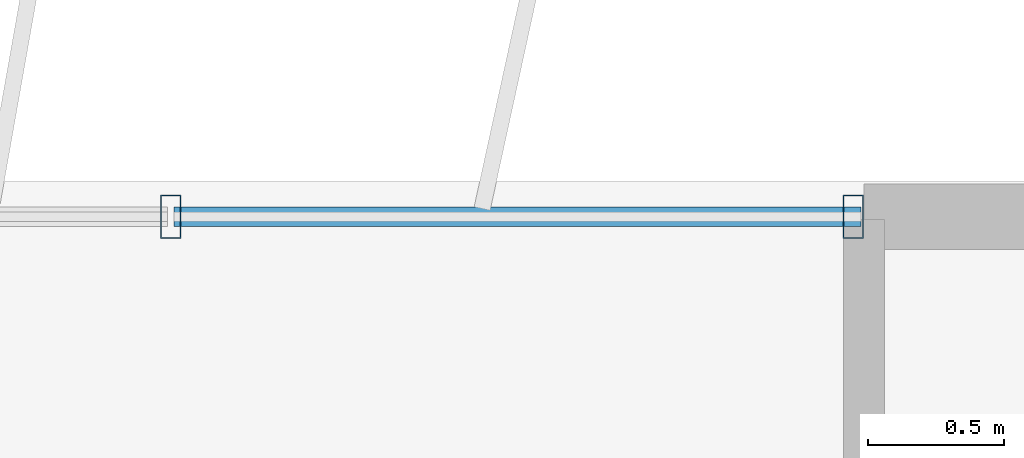
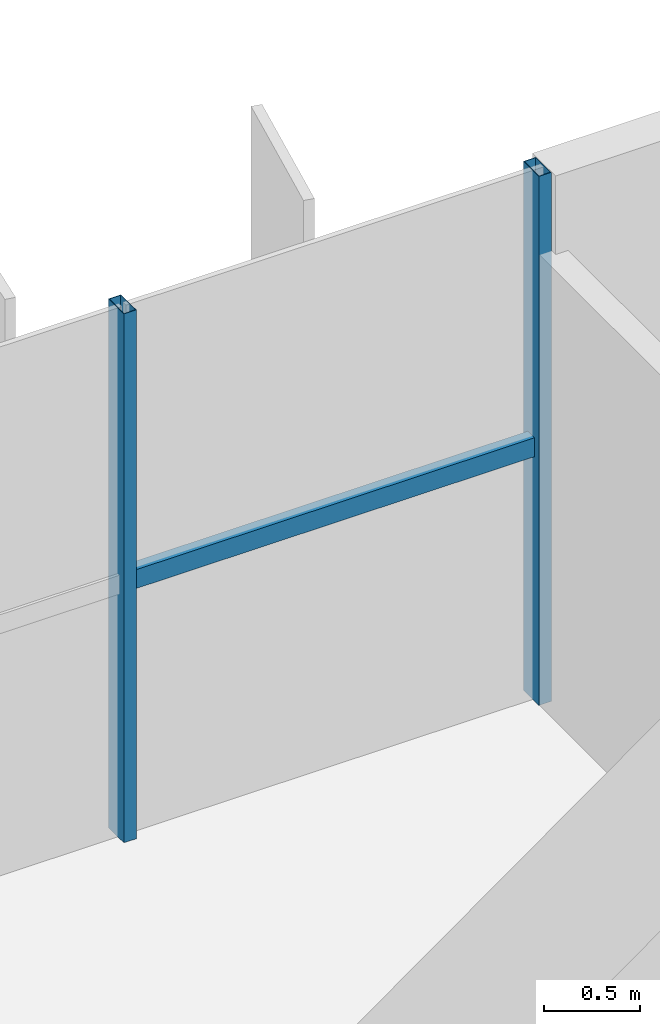
# One storey, part 14 of 23: 3 members, 1 element without a shape of its own.
"""IFC4 building model written with IfcOpenShell, lengths in metres."""

from ifc_helpers import new_model, si_unit, direction, frame, origin, origin_2d, place, context, subcontext, project, spatial, hollow_rectangle, extrude, source, transform, mapped, material, material_profile, profile_set, type_object, element, aggregate, save


model = new_model("IFC4")

# Units and contexts
model_context = context("Model", 3, precision=1e-05, world=origin(), true_north=direction((0.0, 1.0)))
body_context = subcontext(model_context, "Body", "Model", "MODEL_VIEW")
ifc_project = project(units=[si_unit("LENGTHUNIT", "METRE"), si_unit("AREAUNIT", "SQUARE_METRE"), si_unit("VOLUMEUNIT", "CUBIC_METRE"), si_unit("PLANEANGLEUNIT", "RADIAN"), si_unit("MASSUNIT", "GRAM", prefix="KILO")], contexts=[model_context])

# Site, building, storey
site_placement = place(None, origin())
site = spatial("IfcSite", under=ifc_project, at=site_placement, CompositionType="ELEMENT")
building_placement = place(site_placement, origin())
building = spatial("IfcBuilding", under=site, at=building_placement, Name="Trelvane Seafront Commons", CompositionType="ELEMENT")
storey_placement = place(building_placement, frame((0.0, 0.0, 259.5)))
storey = spatial("IfcBuildingStorey", under=building, at=storey_placement, Name="L67", CompositionType="ELEMENT", Elevation=259.5)

# Curtain wall, members
ifc_material = material(Name="Anodised pale-silver aluminium", Category="aluminium")
curtain_wall_type = type_object("IfcCurtainWallType", Name="ARCH-CW5-UPTOWER", PredefinedType="NOTDEFINED", material=ifc_material)
curtain_wall_placement = place(storey_placement, origin())
curtain_wall = element("IfcCurtainWall", 1, at=curtain_wall_placement, inside=storey, type_object=curtain_wall_type, Name="CW-L67-0111", PredefinedType="NOTDEFINED")
ifc_material_profile_1 = material_profile(ifc_material, hollow_rectangle(XDim=0.070068359375, YDim=0.1201171875, WallThickness=0.00390625, at=origin_2d()), Name="TRAN-70x120x4")
ifc_profile_set_1 = profile_set([ifc_material_profile_1], Name="Anodised pale-silver aluminium")
member_type_1 = type_object("IfcMemberType", Name="ARCH-CW-TRAN-120", PredefinedType="USERDEFINED", material=ifc_profile_set_1)
shared_shape_1 = source(origin(), body_context, "Body", "SweptSolid", [
    extrude(hollow_rectangle(XDim=0.070068359375, YDim=0.1201171875, WallThickness=0.00390625, at=origin_2d()), origin(), (0.0, 0.0, 1.0), 2.517333984375),
])
member_1_placement = place(storey_placement, frame((56.270751953125, 48.3701171875, 1.617919921875), z_axis=(1.0, 0.0, 0.0), x_axis=(0.0, 1.0, 0.0)))
member_1 = element("IfcMember", 2, at=member_1_placement, type_object=member_type_1, Name="CW-L67-0111-T16", ObjectType="TRANSOM", PredefinedType="USERDEFINED", context=body_context, shape_type="MappedRepresentation", body=[
    mapped(shared_shape_1, transform((0.0, 0.0, 0.0), x_axis=(1.0, 0.0, 0.0), y_axis=(0.0, 1.0, 0.0), z_axis=(0.0, 0.0, 1.0), scale=1.0)),
])
ifc_material_profile_2 = material_profile(ifc_material, hollow_rectangle(XDim=0.074951171875, YDim=0.159912109375, WallThickness=0.00390625, at=origin_2d()), Name="MULL-75x160x4")
ifc_profile_set_2 = profile_set([ifc_material_profile_2], Name="Anodised pale-silver aluminium")
member_type_2 = type_object("IfcMemberType", Name="ARCH-CW-MULL-160", PredefinedType="MULLION", material=ifc_profile_set_2)
shared_shape_2 = source(origin(), body_context, "Body", "SweptSolid", [
    extrude(hollow_rectangle(XDim=0.074951171875, YDim=0.159912109375, WallThickness=0.00390625, at=origin_2d()), origin(), (0.0, 0.0, 1.0), 3.3701171875),
])
member_2_placement = place(storey_placement, frame((56.2587890625, 48.3701171875, 0.0), z_axis=(0.0, 0.0, 1.0), x_axis=(1.0, 0.0, 0.0)))
member_2 = element("IfcMember", 3, at=member_2_placement, type_object=member_type_2, Name="CW-L67-0111-M16", PredefinedType="MULLION", context=body_context, shape_type="MappedRepresentation", body=[
    mapped(shared_shape_2, transform((0.0, 0.0, 0.0), x_axis=(1.0, 0.0, 0.0), y_axis=(0.0, 1.0, 0.0), z_axis=(0.0, 0.0, 1.0), scale=1.0)),
])
member_3_placement = place(storey_placement, frame((58.760009765625, 48.3701171875, 0.0), z_axis=(0.0, 0.0, 1.0), x_axis=(1.0, 0.0, 0.0)))
member_3 = element("IfcMember", 4, at=member_3_placement, type_object=member_type_2, Name="CW-L67-0111-M17", PredefinedType="MULLION", context=body_context, shape_type="MappedRepresentation", body=[
    mapped(shared_shape_2, transform((0.0, 0.0, 0.0), x_axis=(1.0, 0.0, 0.0), y_axis=(0.0, 1.0, 0.0), z_axis=(0.0, 0.0, 1.0), scale=1.0)),
])
aggregate(curtain_wall, [member_2, member_3, member_1])

save(model, "model.ifc")
